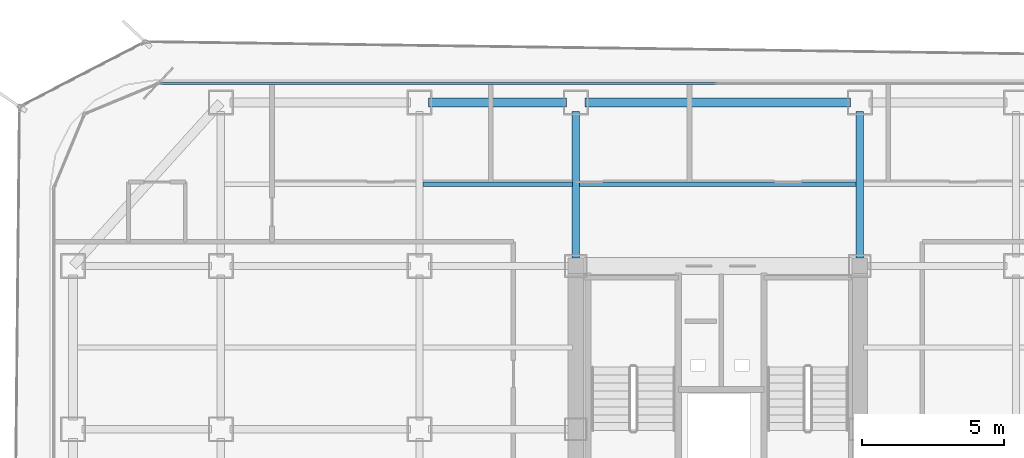
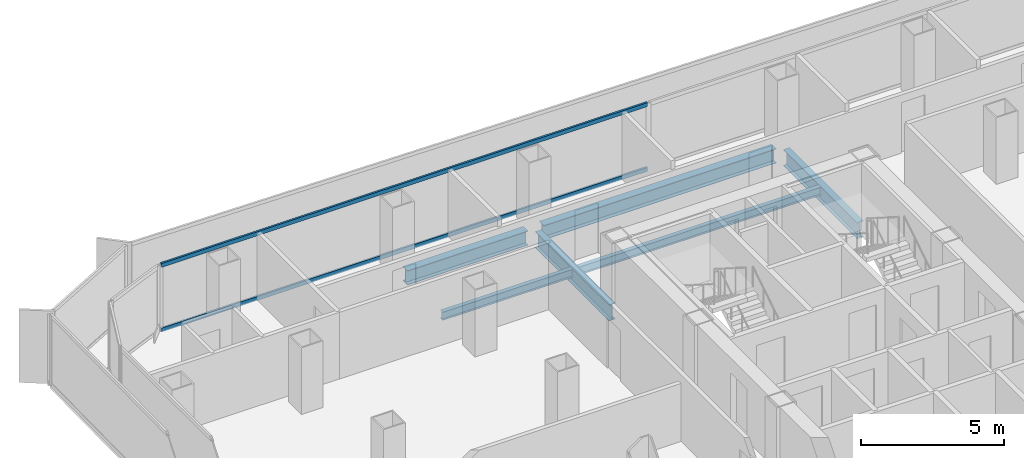
# One storey, part 11 of 21: 6 beams, 2 members, 1 element without a shape of its own.
"""IFC4 building model written with IfcOpenShell, lengths in metres."""

from ifc_helpers import new_model, si_unit, direction, frame, origin, origin_2d, place, context, subcontext, project, spatial, hollow_rectangle, i_section, extrude, source, transform, mapped, material, layer, layer_set, material_profile, profile_set, type_object, element, aggregate, save


model = new_model("IFC4")

# Units and contexts
model_context = context("Model", 3, precision=1e-05, world=origin(), true_north=direction((0.0, 1.0)))
body_context = subcontext(model_context, "Body", "Model", "MODEL_VIEW")
ifc_project = project(units=[si_unit("LENGTHUNIT", "METRE"), si_unit("AREAUNIT", "SQUARE_METRE"), si_unit("VOLUMEUNIT", "CUBIC_METRE"), si_unit("PLANEANGLEUNIT", "RADIAN"), si_unit("MASSUNIT", "GRAM", prefix="KILO")], contexts=[model_context])

# Site, building, storey
site_placement = place(None, origin())
site = spatial("IfcSite", under=ifc_project, at=site_placement, CompositionType="ELEMENT")
building_placement = place(site_placement, origin())
building = spatial("IfcBuilding", under=site, at=building_placement, Name="Kolveth Station Tower", CompositionType="ELEMENT")
storey_placement = place(building_placement, frame((0.0, 0.0, 148.39990234375)))
storey = spatial("IfcBuildingStorey", under=building, at=storey_placement, Name="L41", CompositionType="ELEMENT", Elevation=148.39990234375)

# Beams
ifc_material_1 = material(Name="Steel S355", Category="steel")
ifc_material_profile_1 = material_profile(ifc_material_1, i_section(OverallWidth=0.323974609375, OverallDepth=0.611083984375, WebThickness=0.0126953125, FlangeThickness=0.01904296875, at=origin_2d()), Name="W610x155")
ifc_profile_set_1 = profile_set([ifc_material_profile_1], Name="Steel S355")
beam_type_1 = type_object("IfcBeamType", Name="Beam_SP2", PredefinedType="SPANDREL", material=ifc_profile_set_1)
shared_shape_1 = source(origin(), body_context, "Body", "SweptSolid", [
    extrude(i_section(OverallWidth=0.323974609375, OverallDepth=0.611083984375, WebThickness=0.0126953125, FlangeThickness=0.01904296875, at=origin_2d()), origin(), (0.0, 0.0, 1.0), 4.85986328125),
])
beam_1_placement = place(storey_placement, frame((13.320068359375, 34.5, -0.555419921875), z_axis=(1.0, 0.0, 0.0), x_axis=(0.0, 1.0, 0.0)))
element("IfcBeam", 1, at=beam_1_placement, inside=storey, type_object=beam_type_1, Name="L41 Perimeter Spandrel BM-L41-PN-2", PredefinedType="SPANDREL", context=body_context, shape_type="MappedRepresentation", body=[
    mapped(shared_shape_1, transform((0.0, 0.0, 0.0), x_axis=(1.0, 0.0, 0.0), y_axis=(0.0, 1.0, 0.0), z_axis=(0.0, 0.0, 1.0), scale=1.0)),
])
shared_shape_2 = source(origin(), body_context, "Body", "SweptSolid", [
    extrude(i_section(OverallWidth=0.323974609375, OverallDepth=0.611083984375, WebThickness=0.0126953125, FlangeThickness=0.01904296875, at=origin_2d()), origin(), (0.0, 0.0, 1.0), 9.35986328125),
])
beam_2_placement = place(storey_placement, frame((18.820068359375, 34.5, -0.555419921875), z_axis=(1.0, 0.0, 0.0), x_axis=(0.0, 1.0, 0.0)))
element("IfcBeam", 2, at=beam_2_placement, inside=storey, type_object=beam_type_1, Name="L41 Perimeter Spandrel BM-L41-PN-3", PredefinedType="SPANDREL", context=body_context, shape_type="MappedRepresentation", body=[
    mapped(shared_shape_2, transform((0.0, 0.0, 0.0), x_axis=(1.0, 0.0, 0.0), y_axis=(0.0, 1.0, 0.0), z_axis=(0.0, 0.0, 1.0), scale=1.0)),
])
ifc_material_profile_2 = material_profile(ifc_material_1, i_section(OverallWidth=0.25390625, OverallDepth=0.68798828125, WebThickness=0.01318359375, FlangeThickness=0.02099609375, at=origin_2d()), Name="W690x152")
ifc_profile_set_2 = profile_set([ifc_material_profile_2], Name="Steel S355")
beam_type_2 = type_object("IfcBeamType", Name="Beam_B4", PredefinedType="BEAM", material=ifc_profile_set_2)
shared_shape_3 = source(origin(), body_context, "Body", "SweptSolid", [
    extrude(i_section(OverallWidth=0.25390625, OverallDepth=0.68798828125, WebThickness=0.01318359375, FlangeThickness=0.02099609375, at=origin_2d()), origin(), (0.0, 0.0, 1.0), 5.14990234375),
])
for number, where, z_axis, x_axis, name in (
    (3, (18.5, 29.030029296875, -0.593994140625), (0.0, 1.0, 0.0), (-1.0, 0.0, 0.0), "L41 Primary Girder BM-L41-GX185-6"),
    (4, (28.5, 29.030029296875, -0.593994140625), (0.0, 1.0, 0.0), (-1.0, 0.0, 0.0), "L41 Primary Girder BM-L41-GX285-6"),
):
    element("IfcBeam", number, at=place(storey_placement, frame(where, z_axis=z_axis, x_axis=x_axis)), inside=storey, type_object=beam_type_2, Name=name, PredefinedType="BEAM", context=body_context, shape_type="MappedRepresentation", body=[
        mapped(shared_shape_3, transform((0.0, 0.0, 0.0), x_axis=(1.0, 0.0, 0.0), y_axis=(0.0, 1.0, 0.0), z_axis=(0.0, 0.0, 1.0), scale=1.0)),
    ])
ifc_material_profile_3 = material_profile(ifc_material_1, i_section(OverallWidth=0.1708984375, OverallDepth=0.35205078125, WebThickness=0.0068359375, FlangeThickness=0.009765625, at=origin_2d()), Name="W360x44")
ifc_profile_set_3 = profile_set([ifc_material_profile_3], Name="Steel S355")
beam_type_3 = type_object("IfcBeamType", Name="Beam_J2", PredefinedType="JOIST", material=ifc_profile_set_3)
shared_shape_4 = source(origin(), body_context, "Body", "SweptSolid", [
    extrude(i_section(OverallWidth=0.1708984375, OverallDepth=0.35205078125, WebThickness=0.0068359375, FlangeThickness=0.009765625, at=origin_2d()), origin(), (0.0, 0.0, 1.0), 5.25),
])
beam_3_placement = place(storey_placement, frame((13.125, 31.625, -0.42578125), z_axis=(1.0, 0.0, 0.0), x_axis=(0.0, 1.0, 0.0)))
element("IfcBeam", 5, at=beam_3_placement, inside=storey, type_object=beam_type_3, Name="L41 Secondary Joist JST-L41-3-6", PredefinedType="JOIST", context=body_context, shape_type="MappedRepresentation", body=[
    mapped(shared_shape_4, transform((0.0, 0.0, 0.0), x_axis=(1.0, 0.0, 0.0), y_axis=(0.0, 1.0, 0.0), z_axis=(0.0, 0.0, 1.0), scale=1.0)),
])
shared_shape_5 = source(origin(), body_context, "Body", "SweptSolid", [
    extrude(i_section(OverallWidth=0.1708984375, OverallDepth=0.35205078125, WebThickness=0.0068359375, FlangeThickness=0.009765625, at=origin_2d()), origin(), (0.0, 0.0, 1.0), 9.75),
])
beam_4_placement = place(storey_placement, frame((18.625, 31.625, -0.42578125), z_axis=(1.0, 0.0, 0.0), x_axis=(0.0, 1.0, 0.0)))
element("IfcBeam", 6, at=beam_4_placement, inside=storey, type_object=beam_type_3, Name="L41 Secondary Joist JST-L41-4-6", PredefinedType="JOIST", context=body_context, shape_type="MappedRepresentation", body=[
    mapped(shared_shape_5, transform((0.0, 0.0, 0.0), x_axis=(1.0, 0.0, 0.0), y_axis=(0.0, 1.0, 0.0), z_axis=(0.0, 0.0, 1.0), scale=1.0)),
])

# Curtain wall, members
ifc_material_2 = material(Name="Aluminium 6063-T6 and low-E dark glass", Category="aluminium")
ifc_layer = layer(ifc_material_2, 0.18994140625)
ifc_layer_set = layer_set([ifc_layer], Name="Aluminium 6063-T6 and low-E dark glass")
curtain_wall_type = type_object("IfcCurtainWallType", Name="CurtainWall_CW-Z2", PredefinedType="NOTDEFINED", material=ifc_layer_set)
curtain_wall_placement = place(storey_placement, origin())
curtain_wall = element("IfcCurtainWall", 7, at=curtain_wall_placement, inside=storey, type_object=curtain_wall_type, Name="L41 Inner Thermal Curtain Wall 6", PredefinedType="NOTDEFINED")
ifc_material_3 = material(Name="Black anodized aluminium 6063-T6", Category="aluminium")
ifc_material_profile_4 = material_profile(ifc_material_3, hollow_rectangle(XDim=0.080078125, YDim=0.169921875, WallThickness=0.0048828125, at=origin_2d()), Name="ALU-80x170x5")
ifc_profile_set_4 = profile_set([ifc_material_profile_4], Name="Black anodized aluminium 6063-T6")
member_type = type_object("IfcMemberType", Name="Transom_TR2", PredefinedType="USERDEFINED", material=ifc_profile_set_4)
shared_shape_6 = source(origin(), body_context, "Body", "SweptSolid", [
    extrude(hollow_rectangle(XDim=0.080078125, YDim=0.169921875, WallThickness=0.0048828125, at=origin_2d()), origin(), (0.0, 0.0, 1.0), 19.580078125),
])
member_1_placement = place(storey_placement, frame((23.4599609375, 35.179931640625, 0.0400390625), z_axis=(-1.0, 0.0, 0.0), x_axis=(0.0, -1.0, 0.0)))
member_1 = element("IfcMember", 8, at=member_1_placement, type_object=member_type, Name="CW-Z2 transom 2.1", ObjectType="TRANSOM", PredefinedType="USERDEFINED", context=body_context, shape_type="MappedRepresentation", body=[
    mapped(shared_shape_6, transform((0.0, 0.0, 0.0), x_axis=(1.0, 0.0, 0.0), y_axis=(0.0, 1.0, 0.0), z_axis=(0.0, 0.0, 1.0), scale=1.0)),
])
member_2_placement = place(storey_placement, frame((23.4599609375, 35.179931640625, 2.800048828125), z_axis=(-1.0, 0.0, 0.0), x_axis=(0.0, -1.0, 0.0)))
member_2 = element("IfcMember", 9, at=member_2_placement, type_object=member_type, Name="CW-Z2 transom 2.2", ObjectType="TRANSOM", PredefinedType="USERDEFINED", context=body_context, shape_type="MappedRepresentation", body=[
    mapped(shared_shape_6, transform((0.0, 0.0, 0.0), x_axis=(1.0, 0.0, 0.0), y_axis=(0.0, 1.0, 0.0), z_axis=(0.0, 0.0, 1.0), scale=1.0)),
])
aggregate(curtain_wall, [member_1, member_2])

save(model, "model.ifc")
